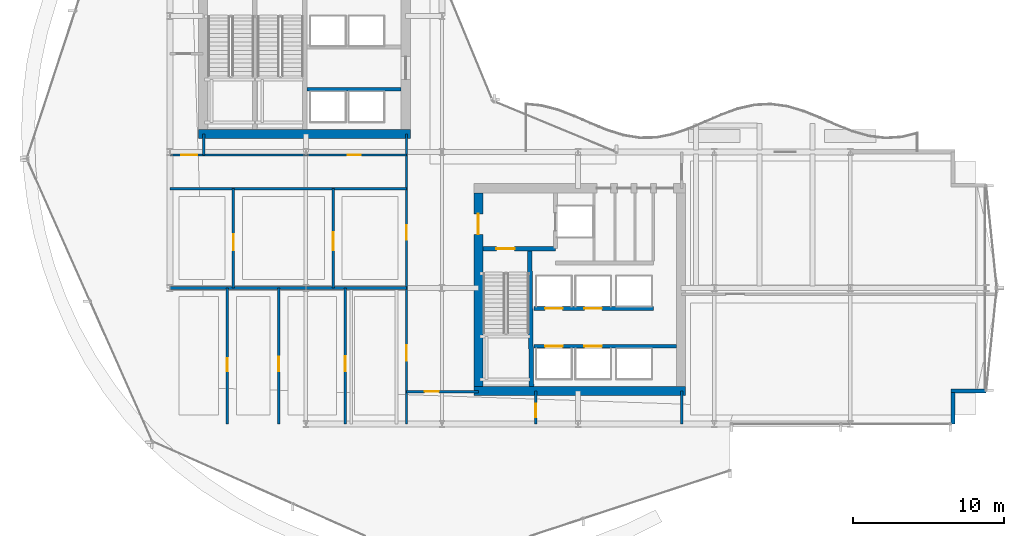
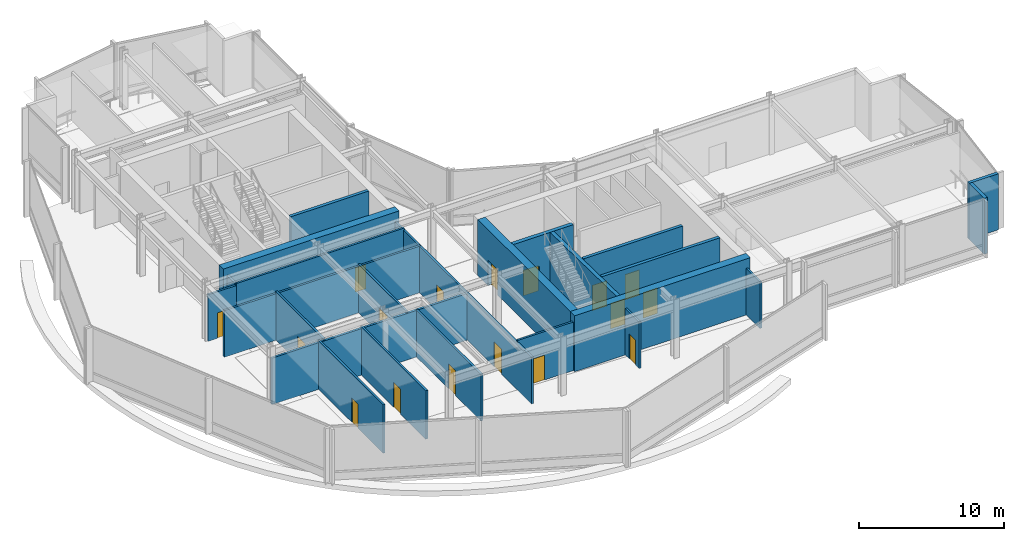
# One storey, part 29 of 39: 24 walls, 17 doors, 17 openings.
"""IFC4 building model written with IfcOpenShell, lengths in metres."""

from ifc_helpers import new_model, si_unit, direction, frame, frame_2d, origin, place, context, subcontext, project, spatial, rectangle, extrude, material, layer, layer_set, type_object, element, fill, save


model = new_model("IFC4")

# Units and contexts
model_context = context("Model", 3, precision=1e-05, world=origin(), true_north=direction((0.0, 1.0)))
body_context = subcontext(model_context, "Body", "Model", "MODEL_VIEW")
ifc_project = project(units=[si_unit("LENGTHUNIT", "METRE"), si_unit("AREAUNIT", "SQUARE_METRE"), si_unit("VOLUMEUNIT", "CUBIC_METRE"), si_unit("PLANEANGLEUNIT", "RADIAN"), si_unit("MASSUNIT", "GRAM", prefix="KILO")], contexts=[model_context])

# Site, building, storey
site_placement = place(None, origin())
site = spatial("IfcSite", under=ifc_project, at=site_placement, CompositionType="ELEMENT")
building_placement = place(site_placement, origin())
building = spatial("IfcBuilding", under=site, at=building_placement, Name="Solvaryn Broadcast Tower", CompositionType="ELEMENT")
storey_placement = place(building_placement, frame((0.0, 0.0, 84.10009765625)))
storey = spatial("IfcBuildingStorey", under=building, at=storey_placement, Name="L20", CompositionType="ELEMENT", Elevation=84.10009765625)

# Walls
ifc_material_1 = material(Name="Concrete f'c 70 MPa", Category="concrete")
ifc_layer_1 = layer(ifc_material_1, 0.60009765625)
ifc_layer_set_1 = layer_set([ifc_layer_1], Name="CW-SHEAR-600")
wall_type_1 = type_object("IfcWallType", Name="CW-SHEAR-600", PredefinedType="SHEAR", material=ifc_layer_set_1)
for number, where, z_axis, x_axis, name in (
    (1, (10.89990234375, 28.199951171875, 0.0), (0.0, 0.0, 1.0), (1.0, 0.0, 0.0), "L20 West Core South Shear Wall"),
    (2, (29.10009765625, 11.199951171875, 0.0), (0.0, 0.0, 1.0), (1.0, 0.0, 0.0), "L20 East Core South Shear Wall"),
):
    element("IfcWall", number, at=place(storey_placement, frame(where, z_axis=z_axis, x_axis=x_axis)), inside=storey, type_object=wall_type_1, Name=name, PredefinedType="SHEAR", context=body_context, shape_type="SweptSolid", body=[
        extrude(rectangle(XDim=14.0, YDim=0.60009765625, at=frame_2d((7.0, 0.0))), origin(), (0.0, 0.0, 1.0), 4.719970703125),
    ])

# Wall, opening, door
wall_1_placement = place(storey_placement, frame((29.39990234375, 24.300048828125, 0.0), z_axis=(0.0, 0.0, 1.0), x_axis=(0.0, -1.0, 0.0)))
wall_1 = element("IfcWall", 3, at=wall_1_placement, inside=storey, type_object=wall_type_1, Name="L20 East Core West Shear Wall", PredefinedType="SHEAR", context=body_context, shape_type="SweptSolid", body=[
    extrude(rectangle(XDim=12.800048828125, YDim=0.60009765625, at=frame_2d((6.39990234375, 0.0))), origin(), (0.0, 0.0, 1.0), 4.719970703125),
])
opening_1_placement = place(wall_1_placement, frame((1.39990234375, 0.0, 0.0)))
opening_1 = element("IfcOpeningElement", 4, at=opening_1_placement, cuts=wall_1, Name="Opening FD90B", PredefinedType="OPENING", context=body_context, shape_type="SweptSolid", body=[
    extrude(rectangle(XDim=1.35009765625, YDim=2.14990234375, at=frame_2d((0.675048828125, 1.074951171875))), frame((0.0, 0.31005859375, 0.0), z_axis=(0.0, -1.0, 0.0), x_axis=(1.0, 0.0, 0.0)), (0.0, 0.0, 1.0), 0.6201171875),
])
ifc_material_2 = material(Name="Flush Acoustic Steel and Timber Door Assembly", Category="steel")
door_type_1 = type_object("IfcDoorType", Name="FD90-LOBBY-1350X2150", OperationType="NOTDEFINED", PredefinedType="DOOR", material=ifc_material_2)
door_1_placement = place(opening_1_placement, origin())
door_1 = element("IfcDoor", 5, at=door_1_placement, inside=storey, type_object=door_type_1, Name="L20 East FSAE Lobby Door", OperationType="SINGLE_SWING_RIGHT", OverallHeight=2.14990234375, OverallWidth=1.35009765625, PredefinedType="DOOR", context=body_context, shape_type="SweptSolid", body=[
    extrude(rectangle(XDim=1.35009765625, YDim=2.14990234375, at=frame_2d((0.675048828125, 1.074951171875))), frame((0.0, 0.02490234375, 0.0), z_axis=(0.0, -1.0, 0.0), x_axis=(1.0, 0.0, 0.0)), (0.0, 0.0, 1.0), 0.050048828125),
])
fill(opening_1, door_1)

# Walls
ifc_material_3 = material(Name="Concrete f'c 50 MPa", Category="concrete")
ifc_layer_2 = layer(ifc_material_3, 0.260009765625)
ifc_layer_set_2 = layer_set([ifc_layer_2], Name="EW-PIER-260")
wall_type_2 = type_object("IfcWallType", Name="EW-PIER-260", PredefinedType="SOLIDWALL", material=ifc_layer_set_2)
wall_2_placement = place(storey_placement, frame((60.800048828125, 9.0, 0.0), z_axis=(0.0, 0.0, 1.0), x_axis=(0.0, 1.0, 0.0)))
element("IfcWall", 6, at=wall_2_placement, inside=storey, type_object=wall_type_2, Name="L20 Notched Corner Pier Wall NSE1", PredefinedType="SOLIDWALL", context=body_context, shape_type="SweptSolid", body=[
    extrude(rectangle(XDim=2.080078125, YDim=0.260009765625, at=frame_2d((1.0400390625, 0.0))), origin(), (0.0, 0.0, 1.0), 4.719970703125),
])
wall_3_placement = place(storey_placement, frame((60.679931640625, 11.199951171875, 0.0), z_axis=(0.0, 0.0, 1.0), x_axis=(1.0, 0.0, 0.0)))
element("IfcWall", 7, at=wall_3_placement, inside=storey, type_object=wall_type_2, Name="L20 Notched Corner Pier Wall NSE2", PredefinedType="SOLIDWALL", context=body_context, shape_type="SweptSolid", body=[
    extrude(rectangle(XDim=2.320068359375, YDim=0.260009765625, at=frame_2d((1.16015625, 0.0))), origin(), (0.0, 0.0, 1.0), 4.719970703125),
])

# Wall, opening, door
ifc_material_4 = material(Name="Metal-Stud Service Core Partition")
ifc_layer_3 = layer(ifc_material_4, 0.14990234375)
ifc_layer_set_3 = layer_set([ifc_layer_3], Name="IW-PART-150")
wall_type_3 = type_object("IfcWallType", Name="IW-PART-150", PredefinedType="PARTITIONING", material=ifc_layer_set_3)
wall_4_placement = place(storey_placement, frame((33.199951171875, 9.0, 0.0), z_axis=(0.0, 0.0, 1.0), x_axis=(0.0, 1.0, 0.0)))
wall_4 = element("IfcWall", 8, at=wall_4_placement, inside=storey, type_object=wall_type_3, Name="L20 Interior Partition IW-L20-SC-V", PredefinedType="PARTITIONING", context=body_context, shape_type="SweptSolid", body=[
    extrude(rectangle(XDim=2.199951171875, YDim=0.14990234375, at=frame_2d((1.10009765625, 0.0))), origin(), (0.0, 0.0, 1.0), 3.927001953125),
])
opening_2_placement = place(wall_4_placement, frame((0.449951171875, 0.0, 0.0)))
opening_2 = element("IfcOpeningElement", 9, at=opening_2_placement, cuts=wall_4, Name="Opening FD60C", PredefinedType="OPENING", context=body_context, shape_type="SweptSolid", body=[
    extrude(rectangle(XDim=0.89990234375, YDim=2.10009765625, at=frame_2d((0.449951171875, 1.050048828125))), frame((0.0, 0.0849609375, 0.0), z_axis=(0.0, -1.0, 0.0), x_axis=(1.0, 0.0, 0.0)), (0.0, 0.0, 1.0), 0.169921875),
])
ifc_material_5 = material(Name="Flush Acoustic Steel and Timber Door Assembly", Category="steel")
door_type_2 = type_object("IfcDoorType", Name="FD60-SERV-900X2100", OperationType="NOTDEFINED", PredefinedType="DOOR", material=ifc_material_5)
door_2_placement = place(opening_2_placement, origin())
door_2 = element("IfcDoor", 10, at=door_2_placement, inside=storey, type_object=door_type_2, Name="L20 Door DR-L20-SC1", OperationType="SINGLE_SWING_LEFT", OverallHeight=2.10009765625, OverallWidth=0.89990234375, PredefinedType="DOOR", context=body_context, shape_type="SweptSolid", body=[
    extrude(rectangle(XDim=0.89990234375, YDim=2.10009765625, at=frame_2d((0.449951171875, 1.050048828125))), frame((0.0, 0.02490234375, 0.0), z_axis=(0.0, -1.0, 0.0), x_axis=(1.0, 0.0, 0.0)), (0.0, 0.0, 1.0), 0.050048828125),
])
fill(opening_2, door_2)

ifc_material_6 = material(Name="Metal-Stud Gypsum Office Partition")
ifc_layer_4 = layer(ifc_material_6, 0.159912109375)
ifc_layer_set_4 = layer_set([ifc_layer_4], Name="IW-PART-160")
wall_type_4 = type_object("IfcWallType", Name="IW-PART-160", PredefinedType="PARTITIONING", material=ifc_layer_set_4)
wall_5_placement = place(storey_placement, frame((9.0, 26.800048828125, 0.0), z_axis=(0.0, 0.0, 1.0), x_axis=(1.0, 0.0, 0.0)))
wall_5 = element("IfcWall", 11, at=wall_5_placement, inside=storey, type_object=wall_type_4, Name="L20 Interior Partition IW-L20-WM-S", PredefinedType="PARTITIONING", context=body_context, shape_type="SweptSolid", body=[
    extrude(rectangle(XDim=2.25, YDim=0.159912109375, at=frame_2d((1.125, 0.0))), origin(), (0.0, 0.0, 1.0), 3.927001953125),
])
opening_3_placement = place(wall_5_placement, frame((0.75, 0.0, 0.0)))
opening_3 = element("IfcOpeningElement", 12, at=opening_3_placement, cuts=wall_5, Name="Opening ID03", PredefinedType="OPENING", context=body_context, shape_type="SweptSolid", body=[
    extrude(rectangle(XDim=1.050048828125, YDim=2.14990234375, at=frame_2d((0.52490234375, 1.074951171875))), frame((0.0, 0.090087890625, 0.0), z_axis=(0.0, -1.0, 0.0), x_axis=(1.0, 0.0, 0.0)), (0.0, 0.0, 1.0), 0.179931640625),
])
ifc_material_7 = material(Name="Flush Acoustic Steel and Timber Door Assembly", Category="steel")
door_type_3 = type_object("IfcDoorType", Name="ID-03-1050X2150", OperationType="NOTDEFINED", PredefinedType="DOOR", material=ifc_material_7)
door_3_placement = place(opening_3_placement, origin())
door_3 = element("IfcDoor", 13, at=door_3_placement, inside=storey, type_object=door_type_3, Name="L20 Door DR-L20-WM0", OperationType="SINGLE_SWING_LEFT", OverallHeight=2.14990234375, OverallWidth=1.050048828125, PredefinedType="DOOR", context=body_context, shape_type="SweptSolid", body=[
    extrude(rectangle(XDim=1.050048828125, YDim=2.14990234375, at=frame_2d((0.52490234375, 1.074951171875))), frame((0.0, 0.02490234375, 0.0), z_axis=(0.0, -1.0, 0.0), x_axis=(1.0, 0.0, 0.0)), (0.0, 0.0, 1.0), 0.050048828125),
])
fill(opening_3, door_3)

# Wall, openings, doors
wall_6_placement = place(storey_placement, frame((24.64990234375, 9.0, 0.0), z_axis=(0.0, 0.0, 1.0), x_axis=(0.0, 1.0, 0.0)))
wall_6 = element("IfcWall", 14, at=wall_6_placement, inside=storey, type_object=wall_type_4, Name="L20 Interior Partition IW-L20-SW-EB", PredefinedType="PARTITIONING", context=body_context, shape_type="SweptSolid", body=[
    extrude(rectangle(XDim=19.199951171875, YDim=0.159912109375, at=frame_2d((9.60009765625, 0.0))), origin(), (0.0, 0.0, 1.0), 3.927001953125),
])
opening_4_placement = place(wall_6_placement, frame((12.199951171875, 0.0, 0.0)))
opening_4 = element("IfcOpeningElement", 15, at=opening_4_placement, cuts=wall_6, Name="Opening ID01", PredefinedType="OPENING", context=body_context, shape_type="SweptSolid", body=[
    extrude(rectangle(XDim=0.949951171875, YDim=2.10009765625, at=frame_2d((0.47509765625, 1.050048828125))), frame((0.0, 0.090087890625, 0.0), z_axis=(0.0, -1.0, 0.0), x_axis=(1.0, 0.0, 0.0)), (0.0, 0.0, 1.0), 0.179931640625),
])
opening_5_placement = place(wall_6_placement, frame((4.199951171875, 0.0, 0.0)))
opening_5 = element("IfcOpeningElement", 16, at=opening_5_placement, cuts=wall_6, Name="Opening ID02", PredefinedType="OPENING", context=body_context, shape_type="SweptSolid", body=[
    extrude(rectangle(XDim=1.0, YDim=2.10009765625, at=frame_2d((0.5, 1.050048828125))), frame((0.0, 0.090087890625, 0.0), z_axis=(0.0, -1.0, 0.0), x_axis=(1.0, 0.0, 0.0)), (0.0, 0.0, 1.0), 0.179931640625),
])
ifc_material_8 = material(Name="Flush Acoustic Steel and Timber Door Assembly", Category="steel")
door_type_4 = type_object("IfcDoorType", Name="ID-01-950X2100", OperationType="NOTDEFINED", PredefinedType="DOOR", material=ifc_material_8)
door_4_placement = place(opening_4_placement, origin())
door_4 = element("IfcDoor", 17, at=door_4_placement, inside=storey, type_object=door_type_4, Name="L20 Door DR-L20-SW-EN", OperationType="SINGLE_SWING_RIGHT", OverallHeight=2.10009765625, OverallWidth=0.949951171875, PredefinedType="DOOR", context=body_context, shape_type="SweptSolid", body=[
    extrude(rectangle(XDim=0.949951171875, YDim=2.10009765625, at=frame_2d((0.47509765625, 1.050048828125))), frame((0.0, 0.02490234375, 0.0), z_axis=(0.0, -1.0, 0.0), x_axis=(1.0, 0.0, 0.0)), (0.0, 0.0, 1.0), 0.050048828125),
])
fill(opening_4, door_4)
ifc_material_9 = material(Name="Flush Acoustic Steel and Timber Door Assembly", Category="steel")
door_type_5 = type_object("IfcDoorType", Name="ID-02-1000X2100", OperationType="NOTDEFINED", PredefinedType="DOOR", material=ifc_material_9)
door_5_placement = place(opening_5_placement, origin())
door_5 = element("IfcDoor", 18, at=door_5_placement, inside=storey, type_object=door_type_5, Name="L20 Door DR-L20-SW-ES", OperationType="SINGLE_SWING_LEFT", OverallHeight=2.10009765625, OverallWidth=1.0, PredefinedType="DOOR", context=body_context, shape_type="SweptSolid", body=[
    extrude(rectangle(XDim=1.0, YDim=2.10009765625, at=frame_2d((0.5, 1.050048828125))), frame((0.0, 0.02490234375, 0.0), z_axis=(0.0, -1.0, 0.0), x_axis=(1.0, 0.0, 0.0)), (0.0, 0.0, 1.0), 0.050048828125),
])
fill(opening_5, door_5)

# Wall
wall_7_placement = place(storey_placement, frame((9.0, 24.580078125, 0.0), z_axis=(0.0, 0.0, 1.0), x_axis=(1.0, 0.0, 0.0)))
element("IfcWall", 19, at=wall_7_placement, inside=storey, type_object=wall_type_4, Name="L20 Interior Partition IW-L20-SW-NB", PredefinedType="PARTITIONING", context=body_context, shape_type="SweptSolid", body=[
    extrude(rectangle(XDim=15.64990234375, YDim=0.159912109375, at=frame_2d((7.824951171875, 0.0))), origin(), (0.0, 0.0, 1.0), 3.927001953125),
])

# Wall, opening, door
wall_8_placement = place(storey_placement, frame((11.25, 26.800048828125, 0.0), z_axis=(0.0, 0.0, 1.0), x_axis=(1.0, 0.0, 0.0)))
wall_8 = element("IfcWall", 20, at=wall_8_placement, inside=storey, type_object=wall_type_4, Name="L20 Interior Partition IW-L20-SW-N2", PredefinedType="PARTITIONING", context=body_context, shape_type="SweptSolid", body=[
    extrude(rectangle(XDim=13.39990234375, YDim=0.159912109375, at=frame_2d((6.699951171875, 0.0))), origin(), (0.0, 0.0, 1.0), 4.0888671875),
])
opening_6_placement = place(wall_8_placement, frame((9.5, 0.0, 0.0)))
opening_6 = element("IfcOpeningElement", 21, at=opening_6_placement, cuts=wall_8, Name="Opening ID07", PredefinedType="OPENING", context=body_context, shape_type="SweptSolid", body=[
    extrude(rectangle(XDim=0.860107421875, YDim=2.050048828125, at=frame_2d((0.43017578125, 1.02490234375))), frame((0.0, 0.090087890625, 0.0), z_axis=(0.0, -1.0, 0.0), x_axis=(1.0, 0.0, 0.0)), (0.0, 0.0, 1.0), 0.179931640625),
])
ifc_material_10 = material(Name="Flush Acoustic Steel and Timber Door Assembly", Category="steel")
door_type_6 = type_object("IfcDoorType", Name="ID-07-860X2050", OperationType="NOTDEFINED", PredefinedType="DOOR", material=ifc_material_10)
door_6_placement = place(opening_6_placement, origin())
door_6 = element("IfcDoor", 22, at=door_6_placement, inside=storey, type_object=door_type_6, Name="L20 Door DR-L20-SW-ALC", OperationType="SINGLE_SWING_LEFT", OverallHeight=2.050048828125, OverallWidth=0.860107421875, PredefinedType="DOOR", context=body_context, shape_type="SweptSolid", body=[
    extrude(rectangle(XDim=0.860107421875, YDim=2.050048828125, at=frame_2d((0.43017578125, 1.02490234375))), frame((0.0, 0.02490234375, 0.0), z_axis=(0.0, -1.0, 0.0), x_axis=(1.0, 0.0, 0.0)), (0.0, 0.0, 1.0), 0.050048828125),
])
fill(opening_6, door_6)

# Wall
wall_9_placement = place(storey_placement, frame((11.25, 26.800048828125, 0.0), z_axis=(0.0, 0.0, 1.0), x_axis=(0.0, 1.0, 0.0)))
element("IfcWall", 23, at=wall_9_placement, inside=storey, type_object=wall_type_4, Name="L20 Interior Partition IW-L20-SW-ALW", PredefinedType="PARTITIONING", context=body_context, shape_type="SweptSolid", body=[
    extrude(rectangle(XDim=1.39990234375, YDim=0.159912109375, at=frame_2d((0.699951171875, 0.0))), origin(), (0.0, 0.0, 1.0), 4.0888671875),
])

# Wall, opening, door
wall_10_placement = place(storey_placement, frame((13.199951171875, 18.0, 0.0), z_axis=(0.0, 0.0, 1.0), x_axis=(0.0, 1.0, 0.0)))
wall_10 = element("IfcWall", 24, at=wall_10_placement, inside=storey, type_object=wall_type_4, Name="L20 Interior Partition IW-L20-SWN-V1", PredefinedType="PARTITIONING", context=body_context, shape_type="SweptSolid", body=[
    extrude(rectangle(XDim=6.580078125, YDim=0.159912109375, at=frame_2d((3.2900390625, 0.0))), origin(), (0.0, 0.0, 1.0), 4.0888671875),
])
opening_7_placement = place(wall_10_placement, frame((2.5, 0.0, 0.0)))
opening_7 = element("IfcOpeningElement", 25, at=opening_7_placement, cuts=wall_10, Name="Opening ID03", PredefinedType="OPENING", context=body_context, shape_type="SweptSolid", body=[
    extrude(rectangle(XDim=1.050048828125, YDim=2.14990234375, at=frame_2d((0.52490234375, 1.074951171875))), frame((0.0, 0.090087890625, 0.0), z_axis=(0.0, -1.0, 0.0), x_axis=(1.0, 0.0, 0.0)), (0.0, 0.0, 1.0), 0.179931640625),
])
door_7_placement = place(opening_7_placement, origin())
door_7 = element("IfcDoor", 26, at=door_7_placement, inside=storey, type_object=door_type_3, Name="L20 Door DR-L20-SWN-1", OperationType="SINGLE_SWING_RIGHT", OverallHeight=2.14990234375, OverallWidth=1.050048828125, PredefinedType="DOOR", context=body_context, shape_type="SweptSolid", body=[
    extrude(rectangle(XDim=1.050048828125, YDim=2.14990234375, at=frame_2d((0.52490234375, 1.074951171875))), frame((0.0, 0.02490234375, 0.0), z_axis=(0.0, -1.0, 0.0), x_axis=(1.0, 0.0, 0.0)), (0.0, 0.0, 1.0), 0.050048828125),
])
fill(opening_7, door_7)

wall_11_placement = place(storey_placement, frame((19.800048828125, 18.0, 0.0), z_axis=(0.0, 0.0, 1.0), x_axis=(0.0, 1.0, 0.0)))
wall_11 = element("IfcWall", 27, at=wall_11_placement, inside=storey, type_object=wall_type_4, Name="L20 Interior Partition IW-L20-SWN-V2", PredefinedType="PARTITIONING", context=body_context, shape_type="SweptSolid", body=[
    extrude(rectangle(XDim=6.580078125, YDim=0.159912109375, at=frame_2d((3.2900390625, 0.0))), origin(), (0.0, 0.0, 1.0), 4.0888671875),
])
opening_8_placement = place(wall_11_placement, frame((2.5, 0.0, 0.0)))
opening_8 = element("IfcOpeningElement", 28, at=opening_8_placement, cuts=wall_11, Name="Opening ID04", PredefinedType="OPENING", context=body_context, shape_type="SweptSolid", body=[
    extrude(rectangle(XDim=1.199951171875, YDim=2.14990234375, at=frame_2d((0.60009765625, 1.074951171875))), frame((0.0, 0.090087890625, 0.0), z_axis=(0.0, -1.0, 0.0), x_axis=(1.0, 0.0, 0.0)), (0.0, 0.0, 1.0), 0.179931640625),
])
ifc_material_11 = material(Name="Flush Acoustic Steel and Timber Door Assembly", Category="steel")
door_type_7 = type_object("IfcDoorType", Name="ID-04-1200X2150", OperationType="NOTDEFINED", PredefinedType="DOOR", material=ifc_material_11)
door_8_placement = place(opening_8_placement, origin())
door_8 = element("IfcDoor", 29, at=door_8_placement, inside=storey, type_object=door_type_7, Name="L20 Door DR-L20-SWN-2", OperationType="SINGLE_SWING_LEFT", OverallHeight=2.14990234375, OverallWidth=1.199951171875, PredefinedType="DOOR", context=body_context, shape_type="SweptSolid", body=[
    extrude(rectangle(XDim=1.199951171875, YDim=2.14990234375, at=frame_2d((0.60009765625, 1.074951171875))), frame((0.0, 0.02490234375, 0.0), z_axis=(0.0, -1.0, 0.0), x_axis=(1.0, 0.0, 0.0)), (0.0, 0.0, 1.0), 0.050048828125),
])
fill(opening_8, door_8)

wall_12_placement = place(storey_placement, frame((12.800048828125, 9.0, 0.0), z_axis=(0.0, 0.0, 1.0), x_axis=(0.0, 1.0, 0.0)))
wall_12 = element("IfcWall", 30, at=wall_12_placement, inside=storey, type_object=wall_type_4, Name="L20 Interior Partition IW-L20-SWS-V1", PredefinedType="PARTITIONING", context=body_context, shape_type="SweptSolid", body=[
    extrude(rectangle(XDim=9.0, YDim=0.159912109375, at=frame_2d((4.5, 0.0))), origin(), (0.0, 0.0, 1.0), 4.0888671875),
])
opening_9_placement = place(wall_12_placement, frame((3.5, 0.0, 0.0)))
opening_9 = element("IfcOpeningElement", 31, at=opening_9_placement, cuts=wall_12, Name="Opening ID07", PredefinedType="OPENING", context=body_context, shape_type="SweptSolid", body=[
    extrude(rectangle(XDim=0.860107421875, YDim=2.050048828125, at=frame_2d((0.43017578125, 1.02490234375))), frame((0.0, 0.090087890625, 0.0), z_axis=(0.0, -1.0, 0.0), x_axis=(1.0, 0.0, 0.0)), (0.0, 0.0, 1.0), 0.179931640625),
])
door_9_placement = place(opening_9_placement, origin())
door_9 = element("IfcDoor", 32, at=door_9_placement, inside=storey, type_object=door_type_6, Name="L20 Door DR-L20-SWS-1", OperationType="SINGLE_SWING_RIGHT", OverallHeight=2.050048828125, OverallWidth=0.860107421875, PredefinedType="DOOR", context=body_context, shape_type="SweptSolid", body=[
    extrude(rectangle(XDim=0.860107421875, YDim=2.050048828125, at=frame_2d((0.43017578125, 1.02490234375))), frame((0.0, 0.02490234375, 0.0), z_axis=(0.0, -1.0, 0.0), x_axis=(1.0, 0.0, 0.0)), (0.0, 0.0, 1.0), 0.050048828125),
])
fill(opening_9, door_9)

wall_13_placement = place(storey_placement, frame((16.199951171875, 9.0, 0.0), z_axis=(0.0, 0.0, 1.0), x_axis=(0.0, 1.0, 0.0)))
wall_13 = element("IfcWall", 33, at=wall_13_placement, inside=storey, type_object=wall_type_4, Name="L20 Interior Partition IW-L20-SWS-V2", PredefinedType="PARTITIONING", context=body_context, shape_type="SweptSolid", body=[
    extrude(rectangle(XDim=9.0, YDim=0.159912109375, at=frame_2d((4.5, 0.0))), origin(), (0.0, 0.0, 1.0), 4.0888671875),
])
opening_10_placement = place(wall_13_placement, frame((3.5, 0.0, 0.0)))
opening_10 = element("IfcOpeningElement", 34, at=opening_10_placement, cuts=wall_13, Name="Opening ID01", PredefinedType="OPENING", context=body_context, shape_type="SweptSolid", body=[
    extrude(rectangle(XDim=0.949951171875, YDim=2.10009765625, at=frame_2d((0.47509765625, 1.050048828125))), frame((0.0, 0.090087890625, 0.0), z_axis=(0.0, -1.0, 0.0), x_axis=(1.0, 0.0, 0.0)), (0.0, 0.0, 1.0), 0.179931640625),
])
door_10_placement = place(opening_10_placement, origin())
door_10 = element("IfcDoor", 35, at=door_10_placement, inside=storey, type_object=door_type_4, Name="L20 Door DR-L20-SWS-2", OperationType="SINGLE_SWING_LEFT", OverallHeight=2.10009765625, OverallWidth=0.949951171875, PredefinedType="DOOR", context=body_context, shape_type="SweptSolid", body=[
    extrude(rectangle(XDim=0.949951171875, YDim=2.10009765625, at=frame_2d((0.47509765625, 1.050048828125))), frame((0.0, 0.02490234375, 0.0), z_axis=(0.0, -1.0, 0.0), x_axis=(1.0, 0.0, 0.0)), (0.0, 0.0, 1.0), 0.050048828125),
])
fill(opening_10, door_10)

wall_14_placement = place(storey_placement, frame((20.60009765625, 9.0, 0.0), z_axis=(0.0, 0.0, 1.0), x_axis=(0.0, 1.0, 0.0)))
wall_14 = element("IfcWall", 36, at=wall_14_placement, inside=storey, type_object=wall_type_4, Name="L20 Interior Partition IW-L20-SWS-V3", PredefinedType="PARTITIONING", context=body_context, shape_type="SweptSolid", body=[
    extrude(rectangle(XDim=9.0, YDim=0.159912109375, at=frame_2d((4.5, 0.0))), origin(), (0.0, 0.0, 1.0), 3.927001953125),
])
opening_11_placement = place(wall_14_placement, frame((3.5, 0.0, 0.0)))
opening_11 = element("IfcOpeningElement", 37, at=opening_11_placement, cuts=wall_14, Name="Opening ID02", PredefinedType="OPENING", context=body_context, shape_type="SweptSolid", body=[
    extrude(rectangle(XDim=1.0, YDim=2.10009765625, at=frame_2d((0.5, 1.050048828125))), frame((0.0, 0.090087890625, 0.0), z_axis=(0.0, -1.0, 0.0), x_axis=(1.0, 0.0, 0.0)), (0.0, 0.0, 1.0), 0.179931640625),
])
door_11_placement = place(opening_11_placement, origin())
door_11 = element("IfcDoor", 38, at=door_11_placement, inside=storey, type_object=door_type_5, Name="L20 Door DR-L20-SWS-3", OperationType="SINGLE_SWING_RIGHT", OverallHeight=2.10009765625, OverallWidth=1.0, PredefinedType="DOOR", context=body_context, shape_type="SweptSolid", body=[
    extrude(rectangle(XDim=1.0, YDim=2.10009765625, at=frame_2d((0.5, 1.050048828125))), frame((0.0, 0.02490234375, 0.0), z_axis=(0.0, -1.0, 0.0), x_axis=(1.0, 0.0, 0.0)), (0.0, 0.0, 1.0), 0.050048828125),
])
fill(opening_11, door_11)

wall_15_placement = place(storey_placement, frame((24.64990234375, 11.14990234375, 0.0), z_axis=(0.0, 0.0, 1.0), x_axis=(1.0, 0.0, 0.0)))
wall_15 = element("IfcWall", 39, at=wall_15_placement, inside=storey, type_object=wall_type_4, Name="L20 Interior Partition IW-L20-SC-N", PredefinedType="PARTITIONING", context=body_context, shape_type="SweptSolid", body=[
    extrude(rectangle(XDim=4.75, YDim=0.159912109375, at=frame_2d((2.375, 0.0))), origin(), (0.0, 0.0, 1.0), 4.091796875),
])
opening_12_placement = place(wall_15_placement, frame((1.199951171875, 0.0, 0.0)))
opening_12 = element("IfcOpeningElement", 40, at=opening_12_placement, cuts=wall_15, Name="Opening ID01", PredefinedType="OPENING", context=body_context, shape_type="SweptSolid", body=[
    extrude(rectangle(XDim=0.949951171875, YDim=2.10009765625, at=frame_2d((0.47509765625, 1.050048828125))), frame((0.0, 0.090087890625, 0.0), z_axis=(0.0, -1.0, 0.0), x_axis=(1.0, 0.0, 0.0)), (0.0, 0.0, 1.0), 0.179931640625),
])
door_12_placement = place(opening_12_placement, origin())
door_12 = element("IfcDoor", 41, at=door_12_placement, inside=storey, type_object=door_type_4, Name="L20 Door DR-L20-SC0", OperationType="SINGLE_SWING_RIGHT", OverallHeight=2.10009765625, OverallWidth=0.949951171875, PredefinedType="DOOR", context=body_context, shape_type="SweptSolid", body=[
    extrude(rectangle(XDim=0.949951171875, YDim=2.10009765625, at=frame_2d((0.47509765625, 1.050048828125))), frame((0.0, 0.02490234375, 0.0), z_axis=(0.0, -1.0, 0.0), x_axis=(1.0, 0.0, 0.0)), (0.0, 0.0, 1.0), 0.050048828125),
])
fill(opening_12, door_12)

# Walls
wall_16_placement = place(storey_placement, frame((42.85009765625, 9.0, 0.0), z_axis=(0.0, 0.0, 1.0), x_axis=(0.0, 1.0, 0.0)))
element("IfcWall", 42, at=wall_16_placement, inside=storey, type_object=wall_type_4, Name="L20 Interior Partition IW-L20-SC-E", PredefinedType="PARTITIONING", context=body_context, shape_type="SweptSolid", body=[
    extrude(rectangle(XDim=2.199951171875, YDim=0.159912109375, at=frame_2d((1.10009765625, 0.0))), origin(), (0.0, 0.0, 1.0), 3.927001953125),
])
ifc_material_12 = material(Name="Acoustic Metal-Stud Gypsum Partition")
ifc_layer_5 = layer(ifc_material_12, 0.179931640625)
ifc_layer_set_5 = layer_set([ifc_layer_5], Name="IW-PART-180")
wall_type_5 = type_object("IfcWallType", Name="IW-PART-180", PredefinedType="PARTITIONING", material=ifc_layer_set_5)
wall_17_placement = place(storey_placement, frame((9.0, 18.0, 0.0), z_axis=(0.0, 0.0, 1.0), x_axis=(1.0, 0.0, 0.0)))
element("IfcWall", 43, at=wall_17_placement, inside=storey, type_object=wall_type_5, Name="L20 Interior Partition IW-L20-SW-HY", PredefinedType="PARTITIONING", context=body_context, shape_type="SweptSolid", body=[
    extrude(rectangle(XDim=15.64990234375, YDim=0.179931640625, at=frame_2d((7.824951171875, 0.0))), origin(), (0.0, 0.0, 1.0), 3.927001953125),
])
ifc_material_13 = material(Name="Concrete f'c 60 MPa", Category="concrete")
ifc_layer_6 = layer(ifc_material_13, 0.25)
ifc_layer_set_6 = layer_set([ifc_layer_6], Name="SW-SHAFT-250")
wall_type_6 = type_object("IfcWallType", Name="SW-SHAFT-250", PredefinedType="PARTITIONING", material=ifc_layer_set_6)
wall_18_placement = place(storey_placement, frame((18.070068359375, 31.14990234375, 0.0), z_axis=(0.0, 0.0, 1.0), x_axis=(1.0, 0.0, 0.0)))
element("IfcWall", 44, at=wall_18_placement, inside=storey, type_object=wall_type_6, Name="L20 High-Rise Lift Bank South Wall", PredefinedType="PARTITIONING", context=body_context, shape_type="SweptSolid", body=[
    extrude(rectangle(XDim=6.22998046875, YDim=0.25, at=frame_2d((3.114990234375, 0.0))), origin(), (0.0, 0.0, 1.0), 4.719970703125),
])

# Wall, openings, doors
wall_19_placement = place(storey_placement, frame((33.070068359375, 14.14990234375, 0.0), z_axis=(0.0, 0.0, 1.0), x_axis=(1.0, 0.0, 0.0)))
wall_19 = element("IfcWall", 45, at=wall_19_placement, inside=storey, type_object=wall_type_6, Name="L20 East Lift Bank South Wall", PredefinedType="PARTITIONING", context=body_context, shape_type="SweptSolid", body=[
    extrude(rectangle(XDim=9.429931640625, YDim=0.25, at=frame_2d((4.71484375, 0.0))), origin(), (0.0, 0.0, 1.0), 4.719970703125),
])
opening_13_placement = place(wall_19_placement, frame((0.7548828125, 0.0, 0.0)))
opening_13 = element("IfcOpeningElement", 46, at=opening_13_placement, cuts=wall_19, Name="Opening LD01", PredefinedType="OPENING", context=body_context, shape_type="SweptSolid", body=[
    extrude(rectangle(XDim=1.14990234375, YDim=2.14990234375, at=frame_2d((0.574951171875, 1.074951171875))), frame((0.0, 0.135009765625, 0.0), z_axis=(0.0, -1.0, 0.0), x_axis=(1.0, 0.0, 0.0)), (0.0, 0.0, 1.0), 0.27001953125),
])
opening_14_placement = place(wall_19_placement, frame((3.35498046875, 0.0, 0.0)))
opening_14 = element("IfcOpeningElement", 47, at=opening_14_placement, cuts=wall_19, Name="Opening LD01", PredefinedType="OPENING", context=body_context, shape_type="SweptSolid", body=[
    extrude(rectangle(XDim=1.14990234375, YDim=2.14990234375, at=frame_2d((0.574951171875, 1.074951171875))), frame((0.0, 0.135009765625, 0.0), z_axis=(0.0, -1.0, 0.0), x_axis=(1.0, 0.0, 0.0)), (0.0, 0.0, 1.0), 0.27001953125),
])
ifc_material_14 = material(Name="Flush Acoustic Steel and Timber Door Assembly", Category="steel")
door_type_8 = type_object("IfcDoorType", Name="LD-LIFT-1150X2150", OperationType="NOTDEFINED", PredefinedType="DOOR", material=ifc_material_14)
door_13_placement = place(opening_13_placement, origin())
door_13 = element("IfcDoor", 48, at=door_13_placement, inside=storey, type_object=door_type_8, Name="L20 PL1 Lift Landing Door", OperationType="DOUBLE_DOOR_SLIDING", OverallHeight=2.14990234375, OverallWidth=1.14990234375, PredefinedType="DOOR", context=body_context, shape_type="SweptSolid", body=[
    extrude(rectangle(XDim=1.14990234375, YDim=2.14990234375, at=frame_2d((0.574951171875, 1.074951171875))), frame((0.0, 0.02490234375, 0.0), z_axis=(0.0, -1.0, 0.0), x_axis=(1.0, 0.0, 0.0)), (0.0, 0.0, 1.0), 0.050048828125),
])
fill(opening_13, door_13)
door_14_placement = place(opening_14_placement, origin())
door_14 = element("IfcDoor", 49, at=door_14_placement, inside=storey, type_object=door_type_8, Name="L20 PL2 Lift Landing Door", OperationType="DOUBLE_DOOR_SLIDING", OverallHeight=2.14990234375, OverallWidth=1.14990234375, PredefinedType="DOOR", context=body_context, shape_type="SweptSolid", body=[
    extrude(rectangle(XDim=1.14990234375, YDim=2.14990234375, at=frame_2d((0.574951171875, 1.074951171875))), frame((0.0, 0.02490234375, 0.0), z_axis=(0.0, -1.0, 0.0), x_axis=(1.0, 0.0, 0.0)), (0.0, 0.0, 1.0), 0.050048828125),
])
fill(opening_14, door_14)

wall_20_placement = place(storey_placement, frame((40.97998046875, 16.64990234375, 0.0), z_axis=(0.0, 0.0, 1.0), x_axis=(-1.0, 0.0, 0.0)))
wall_20 = element("IfcWall", 50, at=wall_20_placement, inside=storey, type_object=wall_type_6, Name="L20 East Lift Bank North Wall", PredefinedType="PARTITIONING", context=body_context, shape_type="SweptSolid", body=[
    extrude(rectangle(XDim=7.909912109375, YDim=0.25, at=frame_2d((3.955078125, 0.0))), origin(), (0.0, 0.0, 1.0), 4.719970703125),
])
opening_15_placement = place(wall_20_placement, frame((6.0048828125, 0.0, 0.0)))
opening_15 = element("IfcOpeningElement", 51, at=opening_15_placement, cuts=wall_20, Name="Opening LD01", PredefinedType="OPENING", context=body_context, shape_type="SweptSolid", body=[
    extrude(rectangle(XDim=1.14990234375, YDim=2.14990234375, at=frame_2d((0.574951171875, 1.074951171875))), frame((0.0, 0.135009765625, 0.0), z_axis=(0.0, -1.0, 0.0), x_axis=(1.0, 0.0, 0.0)), (0.0, 0.0, 1.0), 0.27001953125),
])
opening_16_placement = place(wall_20_placement, frame((3.405029296875, 0.0, 0.0)))
opening_16 = element("IfcOpeningElement", 52, at=opening_16_placement, cuts=wall_20, Name="Opening LD01", PredefinedType="OPENING", context=body_context, shape_type="SweptSolid", body=[
    extrude(rectangle(XDim=1.14990234375, YDim=2.14990234375, at=frame_2d((0.574951171875, 1.074951171875))), frame((0.0, 0.135009765625, 0.0), z_axis=(0.0, -1.0, 0.0), x_axis=(1.0, 0.0, 0.0)), (0.0, 0.0, 1.0), 0.27001953125),
])
door_15_placement = place(opening_15_placement, origin())
door_15 = element("IfcDoor", 53, at=door_15_placement, inside=storey, type_object=door_type_8, Name="L20 PL3 Lift Landing Door", OperationType="DOUBLE_DOOR_SLIDING", OverallHeight=2.14990234375, OverallWidth=1.14990234375, PredefinedType="DOOR", context=body_context, shape_type="SweptSolid", body=[
    extrude(rectangle(XDim=1.14990234375, YDim=2.14990234375, at=frame_2d((0.574951171875, 1.074951171875))), frame((0.0, 0.02490234375, 0.0), z_axis=(0.0, -1.0, 0.0), x_axis=(1.0, 0.0, 0.0)), (0.0, 0.0, 1.0), 0.050048828125),
])
fill(opening_15, door_15)
door_16_placement = place(opening_16_placement, origin())
door_16 = element("IfcDoor", 54, at=door_16_placement, inside=storey, type_object=door_type_8, Name="L20 PL4 Lift Landing Door", OperationType="DOUBLE_DOOR_SLIDING", OverallHeight=2.14990234375, OverallWidth=1.14990234375, PredefinedType="DOOR", context=body_context, shape_type="SweptSolid", body=[
    extrude(rectangle(XDim=1.14990234375, YDim=2.14990234375, at=frame_2d((0.574951171875, 1.074951171875))), frame((0.0, 0.02490234375, 0.0), z_axis=(0.0, -1.0, 0.0), x_axis=(1.0, 0.0, 0.0)), (0.0, 0.0, 1.0), 0.050048828125),
])
fill(opening_16, door_16)

# Wall
ifc_material_15 = material(Name="Concrete f'c 70 MPa", Category="concrete")
ifc_layer_7 = layer(ifc_material_15, 0.300048828125)
ifc_layer_set_7 = layer_set([ifc_layer_7], Name="SW-SHAFT-300")
wall_type_7 = type_object("IfcWallType", Name="SW-SHAFT-300", PredefinedType="SHEAR", material=ifc_layer_set_7)
wall_21_placement = place(storey_placement, frame((32.919921875, 11.5, 0.0), z_axis=(0.0, 0.0, 1.0), x_axis=(-0.013244407292, 0.999912288991, 0.0)))
element("IfcWall", 55, at=wall_21_placement, inside=storey, type_object=wall_type_7, Name="L20 Stair 3 East Shear Wall", PredefinedType="SHEAR", context=body_context, shape_type="SweptSolid", body=[
    extrude(rectangle(XDim=9.05078125, YDim=0.300048828125, at=frame_2d((4.525390625, 0.0))), origin(), (0.0, 0.0, 1.0), 4.719970703125),
])

# Wall, opening, door
wall_22_placement = place(storey_placement, frame((34.5, 20.60009765625, 0.0), z_axis=(0.0, 0.0, 1.0), x_axis=(-1.0, 0.0, 0.0)))
wall_22 = element("IfcWall", 56, at=wall_22_placement, inside=storey, type_object=wall_type_7, Name="L20 East FSAE Lobby South Wall", PredefinedType="SHEAR", context=body_context, shape_type="SweptSolid", body=[
    extrude(rectangle(XDim=4.800048828125, YDim=0.300048828125, at=frame_2d((2.39990234375, 0.0))), origin(), (0.0, 0.0, 1.0), 4.719970703125),
])
opening_17_placement = place(wall_22_placement, frame((2.699951171875, 0.0, 0.0)))
opening_17 = element("IfcOpeningElement", 57, at=opening_17_placement, cuts=wall_22, Name="Opening FD90A", PredefinedType="OPENING", context=body_context, shape_type="SweptSolid", body=[
    extrude(rectangle(XDim=1.199951171875, YDim=2.14990234375, at=frame_2d((0.60009765625, 1.074951171875))), frame((0.0, 0.159912109375, 0.0), z_axis=(0.0, -1.0, 0.0), x_axis=(1.0, 0.0, 0.0)), (0.0, 0.0, 1.0), 0.320068359375),
])
ifc_material_16 = material(Name="Flush Acoustic Steel and Timber Door Assembly", Category="steel")
door_type_9 = type_object("IfcDoorType", Name="FD90-STAIR-1200X2150", OperationType="NOTDEFINED", PredefinedType="DOOR", material=ifc_material_16)
door_17_placement = place(opening_17_placement, origin())
door_17 = element("IfcDoor", 58, at=door_17_placement, inside=storey, type_object=door_type_9, Name="L20 Stair 3 Fire Door", OperationType="SINGLE_SWING_LEFT", OverallHeight=2.14990234375, OverallWidth=1.199951171875, PredefinedType="DOOR", context=body_context, shape_type="SweptSolid", body=[
    extrude(rectangle(XDim=1.199951171875, YDim=2.14990234375, at=frame_2d((0.60009765625, 1.074951171875))), frame((0.0, 0.02490234375, 0.0), z_axis=(0.0, -1.0, 0.0), x_axis=(1.0, 0.0, 0.0)), (0.0, 0.0, 1.0), 0.050048828125),
])
fill(opening_17, door_17)

save(model, "model.ifc")
